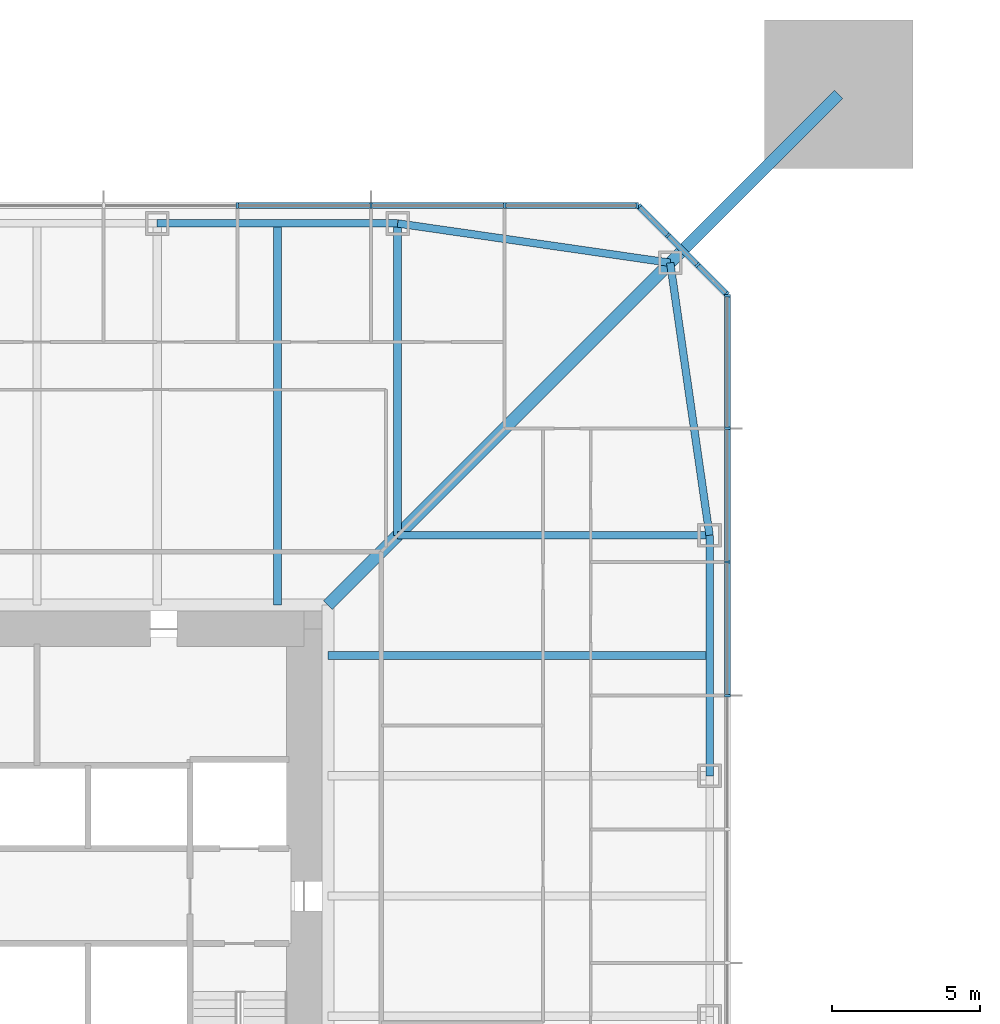
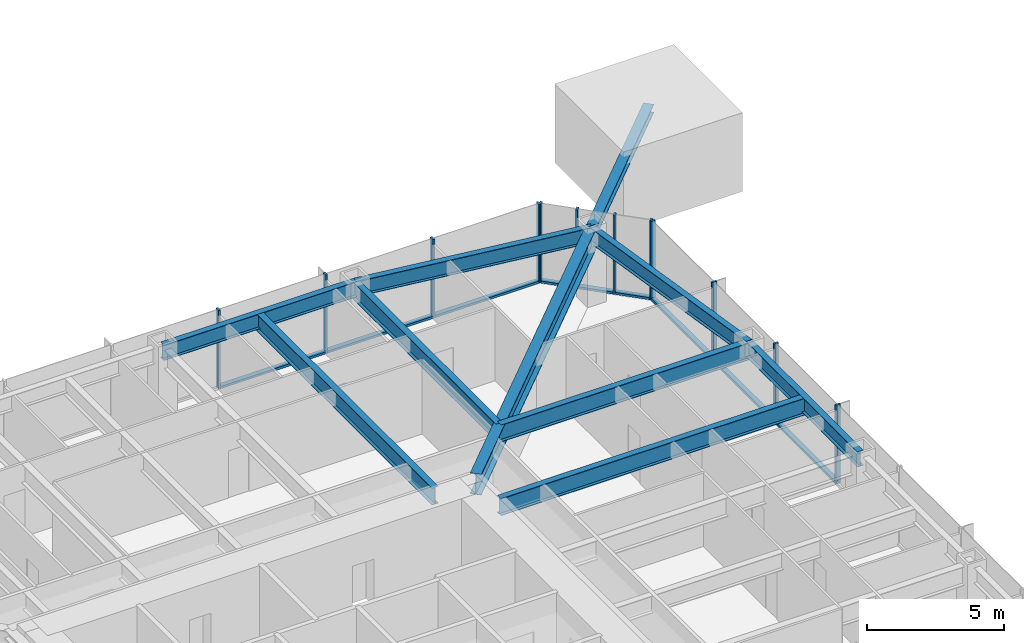
# One storey, part 7 of 26: 22 members, 9 beams, 3 elements without a shape of their own.
"""IFC4 building model written with IfcOpenShell, lengths in metres."""

import ifcopenshell
import ifcopenshell.guid

model = None  # the IFC model being written
_history = None  # IfcOwnerHistory: only IFC2X3 demands one
_inside = {}  # id of a spatial element -> (the spatial element, [elements in it])
_under = {}  # id of a project, library or spatial element -> (it, [spatial elements below it])
_declared = {}  # id of a project -> (the project, [libraries it declares])
_typed = {}  # id of a type object -> (the type object, [elements of that type])
_made_of = {}  # id of a material, layer set ... -> (it, [elements and type objects made of it])


def new_model(schema):
    """Start an empty IFC model of exactly this schema.

    Asked for "IFC4X3", IfcOpenShell would pick the latest addendum, in which some entities
    have other attributes; the version numbers below select the first issue.
    IFC2X3 requires an IfcOwnerHistory on every rooted entity: one is made here for all.
    """
    global model, _history
    if schema == "IFC4X3":
        model = ifcopenshell.file(schema_version=(4, 3, 0, 0))
    else:
        model = ifcopenshell.file(schema=schema)
    _inside.clear()
    _under.clear()
    _declared.clear()
    _typed.clear()
    _made_of.clear()
    _history = None
    if model.schema == "IFC2X3":
        org = make("IfcOrganization", Name="unknown")
        user = make(
            "IfcPersonAndOrganization",
            ThePerson=make("IfcPerson", FamilyName="unknown"),
            TheOrganization=org,
        )
        app = make(
            "IfcApplication",
            ApplicationDeveloper=org,
            Version="unknown",
            ApplicationFullName="unknown",
            ApplicationIdentifier="unknown",
        )
        _history = make(
            "IfcOwnerHistory",
            OwningUser=user,
            OwningApplication=app,
            ChangeAction="ADDED",
            CreationDate=0,
        )
    return model


def make(cls, **values):
    """One entity of the class cls with the attributes given. An attribute that is None is left unset."""
    return model.create_entity(
        cls, **{name: value for name, value in values.items() if value is not None}
    )


def rooted(cls, **values):
    """An entity with a GlobalId (a new one), such as an element, a storey or a relation."""
    return make(cls, GlobalId=ifcopenshell.guid.new(), OwnerHistory=_history, **values)


def si_unit(unit_type, name, prefix=None):
    """IfcSIUnit, for example si_unit("LENGTHUNIT", "METRE", prefix="MILLI")."""
    return make("IfcSIUnit", UnitType=unit_type, Prefix=prefix, Name=name)


def assignment(units):
    """IfcUnitAssignment: the units of a project."""
    return None if units is None else make("IfcUnitAssignment", Units=units)


def point(xyz):
    """IfcCartesianPoint."""
    return None if xyz is None else make("IfcCartesianPoint", Coordinates=xyz)


def direction(xyz):
    """IfcDirection."""
    return None if xyz is None else make("IfcDirection", DirectionRatios=xyz)


def frame(location, z_axis=None, x_axis=None):
    """IfcAxis2Placement3D, a coordinate frame: its origin and axes. An axis left out is left unset."""
    return make(
        "IfcAxis2Placement3D",
        Location=point(location),
        Axis=direction(z_axis),
        RefDirection=direction(x_axis),
    )


def frame_2d(location, x_axis=None):
    """IfcAxis2Placement2D, a coordinate frame in the plane: its origin and x axis."""
    return make(
        "IfcAxis2Placement2D", Location=point(location), RefDirection=direction(x_axis)
    )


def origin():
    """The frame at (0, 0, 0) with its axes left unset."""
    return frame((0.0, 0.0, 0.0))


def origin_2d():
    """The frame at (0, 0) in the plane with its x axis left unset."""
    return frame_2d((0.0, 0.0))


def place(relative_to, where):
    """IfcLocalPlacement: puts the frame where relative to a parent placement (None: the world)."""
    return make(
        "IfcLocalPlacement", PlacementRelTo=relative_to, RelativePlacement=where
    )


def context(
    kind, dimensions, precision=None, world=None, true_north=None, identifier=None
):
    """IfcGeometricRepresentationContext, for example the 3D "Model" context."""
    return make(
        "IfcGeometricRepresentationContext",
        ContextIdentifier=identifier,
        ContextType=kind,
        CoordinateSpaceDimension=dimensions,
        Precision=precision,
        WorldCoordinateSystem=world,
        TrueNorth=true_north,
    )


def subcontext(parent, identifier, kind, view, scale=None):
    """IfcGeometricRepresentationSubContext, for example "Body" below "Model"."""
    return make(
        "IfcGeometricRepresentationSubContext",
        ContextIdentifier=identifier,
        ContextType=kind,
        ParentContext=parent,
        TargetScale=scale,
        TargetView=view,
    )


def project(units=None, contexts=None):
    """IfcProject with its units and contexts."""
    return rooted(
        "IfcProject",
        Name="project",
        RepresentationContexts=contexts,
        UnitsInContext=assignment(units),
    )


def spatial(cls, under=None, at=None, **own):
    """A site, building, storey or space (cls), placed at a placement, below another one or the project."""
    s = rooted(cls, ObjectPlacement=at, **own)
    if under is not None:
        _under.setdefault(under.id(), (under, []))[1].append(s)
    return s


def profile(cls, at=None, kind="AREA", **sizes):
    """A parametric profile (cls). Its sizes go by their IFC names, for example OverallWidth=200.0."""
    return make(cls, ProfileType=kind, Position=at, **sizes)


def rectangle(**sizes):
    """IfcRectangleProfileDef."""
    return profile("IfcRectangleProfileDef", **sizes)


def i_section(**sizes):
    """IfcIShapeProfileDef."""
    return profile("IfcIShapeProfileDef", **sizes)


def extrude(swept, where, along, depth):
    """IfcExtrudedAreaSolid: the profile swept, set in the frame where, extruded along a direction by depth."""
    return make(
        "IfcExtrudedAreaSolid",
        SweptArea=swept,
        Position=where,
        ExtrudedDirection=direction(along),
        Depth=depth,
    )


def shape(context_of_items, identifier, shape_type, items):
    """IfcShapeRepresentation: the items that make up one representation, for example the "Body"."""
    return make(
        "IfcShapeRepresentation",
        ContextOfItems=context_of_items,
        RepresentationIdentifier=identifier,
        RepresentationType=shape_type,
        Items=items,
    )


def material(Name=None, Category=None):
    """IfcMaterial."""
    return make("IfcMaterial", Name=Name, Category=Category)


def material_profile(
    of_material, cross_section, Name=None, Category=None, Priority=None
):
    """IfcMaterialProfile: a cross section and its material."""
    return make(
        "IfcMaterialProfile",
        Name=Name,
        Material=of_material,
        Profile=cross_section,
        Priority=Priority,
        Category=Category,
    )


def profile_set(profiles, Name=None, composite=None):
    """IfcMaterialProfileSet."""
    return make(
        "IfcMaterialProfileSet",
        Name=Name,
        MaterialProfiles=profiles,
        CompositeProfile=composite,
    )


def made_of(thing, what):
    """Note that an element or type object is made of a material, layer set ...; save() writes the relation."""
    if what is not None:
        _made_of.setdefault(what.id(), (what, []))[1].append(thing)
    return thing


def type_object(cls, material=None, **own):
    """A type object (cls), such as IfcWallType, which elements share."""
    return made_of(rooted(cls, **own), material)


def element(
    cls,
    number,
    at=None,
    inside=None,
    cuts=None,
    type_object=None,
    material=None,
    context=None,
    identifier="Body",
    shape_type=None,
    held_by="IfcProductDefinitionShape",
    body=None,
    shapes=None,
    **own,
):
    """One element of the class cls, such as IfcWall. Its Tag is "e" and its number.

    at: its placement. inside: the storey or other place that contains it. cuts: it is an
    opening in that element (IfcRelVoidsElement). A single representation is given by context,
    identifier, shape_type and body (its items); several are given by shapes. held_by: the class
    of the entity that holds the representations. save() writes the other relations.
    """
    e = rooted(cls, Tag="e%d" % number, ObjectPlacement=at, **own)
    if body is not None:
        shapes = [shape(context, identifier, shape_type, body)]
    if shapes is not None:
        e.Representation = make(held_by, Representations=shapes)
    if inside is not None:
        _inside.setdefault(inside.id(), (inside, []))[1].append(e)
    if cuts is not None:
        rooted(
            "IfcRelVoidsElement", RelatingBuildingElement=cuts, RelatedOpeningElement=e
        )
    if type_object is not None:
        _typed.setdefault(type_object.id(), (type_object, []))[1].append(e)
    return made_of(e, material)


def aggregate(whole, parts):
    """IfcRelAggregates: a whole, such as a stair, and the parts it consists of."""
    return rooted("IfcRelAggregates", RelatingObject=whole, RelatedObjects=parts)


def save(model, path):
    """Write the relations noted so far, then the file.

    IfcRelAggregates (storeys below a building ...), IfcRelContainedInSpatialStructure (elements
    in a storey), IfcRelDefinesByType, IfcRelAssociatesMaterial and IfcRelDeclares: one each for
    every whole, place, type object, material and project.
    """
    for whole, parts in _under.values():
        aggregate(whole, parts)
    for where, things in _inside.values():
        rooted(
            "IfcRelContainedInSpatialStructure",
            RelatedElements=things,
            RelatingStructure=where,
        )
    for kind, things in _typed.values():
        rooted("IfcRelDefinesByType", RelatedObjects=things, RelatingType=kind)
    for what, things in _made_of.values():
        rooted("IfcRelAssociatesMaterial", RelatedObjects=things, RelatingMaterial=what)
    for by, libraries in _declared.values():
        rooted("IfcRelDeclares", RelatingContext=by, RelatedDefinitions=libraries)
    model.write(path)


model = new_model("IFC4")

# Units and contexts
model_context = context("Model", 3, precision=1e-05, world=origin(), true_north=direction((0.0, 1.0)))
body_context = subcontext(model_context, "Body", "Model", "MODEL_VIEW")
ifc_project = project(units=[si_unit("LENGTHUNIT", "METRE"), si_unit("AREAUNIT", "SQUARE_METRE"), si_unit("VOLUMEUNIT", "CUBIC_METRE"), si_unit("PLANEANGLEUNIT", "RADIAN"), si_unit("MASSUNIT", "GRAM", prefix="KILO")], contexts=[model_context])

# Site, building, storey
site_placement = place(None, origin())
site = spatial("IfcSite", under=ifc_project, at=site_placement, CompositionType="ELEMENT")
building_placement = place(site_placement, origin())
building = spatial("IfcBuilding", under=site, at=building_placement, Name="Iwan Alto Co-Living Towers", CompositionType="ELEMENT")
storey_placement = place(building_placement, frame((0.0, 0.0, 50.0)))
storey = spatial("IfcBuildingStorey", under=building, at=storey_placement, Name="L13", CompositionType="ELEMENT", Elevation=50.0)

# Curtain wall, members
ifc_material_1 = material(Name="Bronze aluminium unitised frame", Category="aluminium")
curtain_wall_type_1 = type_object("IfcCurtainWallType", Name="CURTAIN WALL CW-A", PredefinedType="NOTDEFINED", material=ifc_material_1)
curtain_wall_1_placement = place(storey_placement, origin())
curtain_wall_1 = element("IfcCurtainWall", 1, at=curtain_wall_1_placement, inside=storey, type_object=curtain_wall_type_1, Name="T1 curtain wall E L13", PredefinedType="NOTDEFINED")
ifc_material_2 = material(Name="Aluminium 6063-T6 bronze anodised", Category="aluminium")
ifc_material_profile_1 = material_profile(ifc_material_2, rectangle(XDim=0.199951171875, YDim=0.080078125, at=origin_2d()), Name="AL 80X200")
ifc_profile_set_1 = profile_set([ifc_material_profile_1], Name="Aluminium 6063-T6 bronze anodised")
member_type_1 = type_object("IfcMemberType", Name="CW-A MULLION 80X200", PredefinedType="MULLION", material=ifc_profile_set_1)
member_1_placement = place(storey_placement, frame((23.25, 6.75, 0.0), z_axis=(0.0, 0.0, 1.0), x_axis=(-1.0, 0.0, 0.0)))
member_1 = element("IfcMember", 2, at=member_1_placement, type_object=member_type_1, Name="CW-A mullion 7", PredefinedType="MULLION", context=body_context, shape_type="SweptSolid", body=[
    extrude(rectangle(XDim=0.199951171875, YDim=0.080078125, at=origin_2d()), origin(), (0.0, 0.0, 1.0), 3.5),
])
member_2_placement = place(storey_placement, frame((23.25, 11.25, 0.0), z_axis=(0.0, 0.0, 1.0), x_axis=(-1.0, 0.0, 0.0)))
member_2 = element("IfcMember", 3, at=member_2_placement, type_object=member_type_1, Name="CW-A mullion 8", PredefinedType="MULLION", context=body_context, shape_type="SweptSolid", body=[
    extrude(rectangle(XDim=0.199951171875, YDim=0.080078125, at=origin_2d()), origin(), (0.0, 0.0, 1.0), 3.5),
])
member_3_placement = place(storey_placement, frame((23.25, 15.75, 0.0), z_axis=(0.0, 0.0, 1.0), x_axis=(-1.0, 0.0, 0.0)))
member_3 = element("IfcMember", 4, at=member_3_placement, type_object=member_type_1, Name="CW-A mullion 9", PredefinedType="MULLION", context=body_context, shape_type="SweptSolid", body=[
    extrude(rectangle(XDim=0.199951171875, YDim=0.080078125, at=origin_2d()), origin(), (0.0, 0.0, 1.0), 3.5),
])
member_4_placement = place(storey_placement, frame((23.25, 20.2099609375, 0.0), z_axis=(0.0, 0.0, 1.0), x_axis=(-1.0, 0.0, 0.0)))
member_4 = element("IfcMember", 5, at=member_4_placement, type_object=member_type_1, Name="CW-A mullion 10", PredefinedType="MULLION", context=body_context, shape_type="SweptSolid", body=[
    extrude(rectangle(XDim=0.199951171875, YDim=0.080078125, at=origin_2d()), origin(), (0.0, 0.0, 1.0), 3.5),
])

curtain_wall_2_placement = place(storey_placement, origin())
curtain_wall_2 = element("IfcCurtainWall", 6, at=curtain_wall_2_placement, inside=storey, type_object=curtain_wall_type_1, Name="T1 curtain wall N L13", PredefinedType="NOTDEFINED")
member_5_placement = place(storey_placement, frame((20.2099609375, 23.25, 0.0), z_axis=(0.0, 0.0, 1.0), x_axis=(0.0, -1.0, 0.0)))
member_5 = element("IfcMember", 7, at=member_5_placement, type_object=member_type_1, Name="CW-A mullion 1", PredefinedType="MULLION", context=body_context, shape_type="SweptSolid", body=[
    extrude(rectangle(XDim=0.199951171875, YDim=0.080078125, at=origin_2d()), origin(), (0.0, 0.0, 1.0), 3.5),
])
member_6_placement = place(storey_placement, frame((15.75, 23.25, 0.0), z_axis=(0.0, 0.0, 1.0), x_axis=(0.0, -1.0, 0.0)))
member_6 = element("IfcMember", 8, at=member_6_placement, type_object=member_type_1, Name="CW-A mullion 2", PredefinedType="MULLION", context=body_context, shape_type="SweptSolid", body=[
    extrude(rectangle(XDim=0.199951171875, YDim=0.080078125, at=origin_2d()), origin(), (0.0, 0.0, 1.0), 3.5),
])
member_7_placement = place(storey_placement, frame((11.25, 23.25, 0.0), z_axis=(0.0, 0.0, 1.0), x_axis=(0.0, -1.0, 0.0)))
member_7 = element("IfcMember", 9, at=member_7_placement, type_object=member_type_1, Name="CW-A mullion 3", PredefinedType="MULLION", context=body_context, shape_type="SweptSolid", body=[
    extrude(rectangle(XDim=0.199951171875, YDim=0.080078125, at=origin_2d()), origin(), (0.0, 0.0, 1.0), 3.5),
])
member_8_placement = place(storey_placement, frame((6.75, 23.25, 0.0), z_axis=(0.0, 0.0, 1.0), x_axis=(0.0, -1.0, 0.0)))
member_8 = element("IfcMember", 10, at=member_8_placement, type_object=member_type_1, Name="CW-A mullion 4", PredefinedType="MULLION", context=body_context, shape_type="SweptSolid", body=[
    extrude(rectangle(XDim=0.199951171875, YDim=0.080078125, at=origin_2d()), origin(), (0.0, 0.0, 1.0), 3.5),
])

# Member
ifc_material_3 = material(Name="Aluminium 6063-T6 bronze anodised", Category="aluminium")
ifc_material_profile_2 = material_profile(ifc_material_3, rectangle(XDim=0.199951171875, YDim=0.10009765625, at=origin_2d()), Name="AL 200X100")
ifc_profile_set_2 = profile_set([ifc_material_profile_2], Name="Aluminium 6063-T6 bronze anodised")
member_type_2 = type_object("IfcMemberType", Name="CW-A TRANSOM 200X100", PredefinedType="USERDEFINED", material=ifc_profile_set_2)
member_9_placement = place(storey_placement, frame((23.25, 6.7900390625, 0.050048828125), z_axis=(0.0, 1.0, 0.0), x_axis=(-1.0, 0.0, 0.0)))
member_9 = element("IfcMember", 11, at=member_9_placement, type_object=member_type_2, Name="CW-A transom 7.1", ObjectType="TRANSOM", PredefinedType="USERDEFINED", context=body_context, shape_type="SweptSolid", body=[
    extrude(rectangle(XDim=0.199951171875, YDim=0.10009765625, at=origin_2d()), origin(), (0.0, 0.0, 1.0), 4.419921875),
])

member_10_placement = place(storey_placement, frame((23.25, 11.2900390625, 0.050048828125), z_axis=(0.0, 1.0, 0.0), x_axis=(-1.0, 0.0, 0.0)))
member_10 = element("IfcMember", 12, at=member_10_placement, type_object=member_type_2, Name="CW-A transom 8.1", ObjectType="TRANSOM", PredefinedType="USERDEFINED", context=body_context, shape_type="SweptSolid", body=[
    extrude(rectangle(XDim=0.199951171875, YDim=0.10009765625, at=origin_2d()), origin(), (0.0, 0.0, 1.0), 4.419921875),
])

member_11_placement = place(storey_placement, frame((23.25, 15.7900390625, 0.050048828125), z_axis=(0.0, 1.0, 0.0), x_axis=(-1.0, 0.0, 0.0)))
member_11 = element("IfcMember", 13, at=member_11_placement, type_object=member_type_2, Name="CW-A transom 9.1", ObjectType="TRANSOM", PredefinedType="USERDEFINED", context=body_context, shape_type="SweptSolid", body=[
    extrude(rectangle(XDim=0.199951171875, YDim=0.10009765625, at=origin_2d()), origin(), (0.0, 0.0, 1.0), 4.3798828125),
])

aggregate(curtain_wall_1, [member_1, member_2, member_3, member_4, member_9, member_10, member_11])

member_12_placement = place(storey_placement, frame((20.169921875, 23.25, 0.050048828125), z_axis=(-1.0, 0.0, 0.0), x_axis=(0.0, -1.0, 0.0)))
member_12 = element("IfcMember", 14, at=member_12_placement, type_object=member_type_2, Name="CW-A transom 1.1", ObjectType="TRANSOM", PredefinedType="USERDEFINED", context=body_context, shape_type="SweptSolid", body=[
    extrude(rectangle(XDim=0.199951171875, YDim=0.10009765625, at=origin_2d()), origin(), (0.0, 0.0, 1.0), 4.3798828125),
])

member_13_placement = place(storey_placement, frame((15.7099609375, 23.25, 0.050048828125), z_axis=(-1.0, 0.0, 0.0), x_axis=(0.0, -1.0, 0.0)))
member_13 = element("IfcMember", 15, at=member_13_placement, type_object=member_type_2, Name="CW-A transom 2.1", ObjectType="TRANSOM", PredefinedType="USERDEFINED", context=body_context, shape_type="SweptSolid", body=[
    extrude(rectangle(XDim=0.199951171875, YDim=0.10009765625, at=origin_2d()), origin(), (0.0, 0.0, 1.0), 4.419921875),
])

member_14_placement = place(storey_placement, frame((11.2099609375, 23.25, 0.050048828125), z_axis=(-1.0, 0.0, 0.0), x_axis=(0.0, -1.0, 0.0)))
member_14 = element("IfcMember", 16, at=member_14_placement, type_object=member_type_2, Name="CW-A transom 3.1", ObjectType="TRANSOM", PredefinedType="USERDEFINED", context=body_context, shape_type="SweptSolid", body=[
    extrude(rectangle(XDim=0.199951171875, YDim=0.10009765625, at=origin_2d()), origin(), (0.0, 0.0, 1.0), 4.419921875),
])

aggregate(curtain_wall_2, [member_5, member_6, member_7, member_8, member_12, member_13, member_14])

# Curtain wall, members
ifc_material_4 = material(Name="Bronze aluminium unitised frame", Category="aluminium")
curtain_wall_type_2 = type_object("IfcCurtainWallType", Name="CURTAIN WALL CW-B", PredefinedType="NOTDEFINED", material=ifc_material_4)
curtain_wall_3_placement = place(storey_placement, origin())
curtain_wall_3 = element("IfcCurtainWall", 17, at=curtain_wall_3_placement, inside=storey, type_object=curtain_wall_type_2, Name="T1 chamfer curtain wall NE L13", PredefinedType="NOTDEFINED")
ifc_material_5 = material(Name="Aluminium 6063-T6 bronze anodised", Category="aluminium")
ifc_material_profile_3 = material_profile(ifc_material_5, rectangle(XDim=0.199951171875, YDim=0.080078125, at=origin_2d()), Name="AL 80X200")
ifc_profile_set_3 = profile_set([ifc_material_profile_3], Name="Aluminium 6063-T6 bronze anodised")
member_type_3 = type_object("IfcMemberType", Name="CW-B MULLION 80X200", PredefinedType="MULLION", material=ifc_profile_set_3)
member_15_placement = place(storey_placement, frame((23.2216796875, 20.2783203125, 0.0), z_axis=(0.0, 0.0, 1.0), x_axis=(-0.707106781187, -0.707106781187, 0.0)))
member_15 = element("IfcMember", 18, at=member_15_placement, type_object=member_type_3, Name="CW-B mullion 1", PredefinedType="MULLION", context=body_context, shape_type="SweptSolid", body=[
    extrude(rectangle(XDim=0.199951171875, YDim=0.080078125, at=origin_2d()), origin(), (0.0, 0.0, 1.0), 3.5),
])
member_16_placement = place(storey_placement, frame((22.25, 21.25, 0.0), z_axis=(0.0, 0.0, 1.0), x_axis=(-0.707106781187, -0.707106781187, 0.0)))
member_16 = element("IfcMember", 19, at=member_16_placement, type_object=member_type_3, Name="CW-B mullion 2", PredefinedType="MULLION", context=body_context, shape_type="SweptSolid", body=[
    extrude(rectangle(XDim=0.199951171875, YDim=0.080078125, at=origin_2d()), origin(), (0.0, 0.0, 1.0), 3.5),
])
member_17_placement = place(storey_placement, frame((21.25, 22.25, 0.0), z_axis=(0.0, 0.0, 1.0), x_axis=(-0.707106781187, -0.707106781187, 0.0)))
member_17 = element("IfcMember", 20, at=member_17_placement, type_object=member_type_3, Name="CW-B mullion 3", PredefinedType="MULLION", context=body_context, shape_type="SweptSolid", body=[
    extrude(rectangle(XDim=0.199951171875, YDim=0.080078125, at=origin_2d()), origin(), (0.0, 0.0, 1.0), 3.5),
])
member_18_placement = place(storey_placement, frame((20.2783203125, 23.2216796875, 0.0), z_axis=(0.0, 0.0, 1.0), x_axis=(-0.707106781187, -0.707106781187, 0.0)))
member_18 = element("IfcMember", 21, at=member_18_placement, type_object=member_type_3, Name="CW-B mullion 4", PredefinedType="MULLION", context=body_context, shape_type="SweptSolid", body=[
    extrude(rectangle(XDim=0.199951171875, YDim=0.080078125, at=origin_2d()), origin(), (0.0, 0.0, 1.0), 3.5),
])
ifc_material_6 = material(Name="Aluminium 6063-T6 bronze anodised", Category="aluminium")
ifc_material_profile_4 = material_profile(ifc_material_6, rectangle(XDim=0.199951171875, YDim=0.10009765625, at=origin_2d()), Name="AL 200X100")
ifc_profile_set_4 = profile_set([ifc_material_profile_4], Name="Aluminium 6063-T6 bronze anodised")
member_type_4 = type_object("IfcMemberType", Name="CW-B TRANSOM 200X100", PredefinedType="USERDEFINED", material=ifc_profile_set_4)
member_19_placement = place(storey_placement, frame((23.193359375, 20.306640625, 0.050048828125), z_axis=(-0.707106781187, 0.707106781187, 0.0), x_axis=(-0.707106781187, -0.707106781187, 0.0)))
member_19 = element("IfcMember", 22, at=member_19_placement, type_object=member_type_4, Name="CW-B transom 1.1", ObjectType="TRANSOM", PredefinedType="USERDEFINED", context=body_context, shape_type="SweptSolid", body=[
    extrude(rectangle(XDim=0.199951171875, YDim=0.10009765625, at=origin_2d()), origin(), (0.0, 0.0, 1.0), 1.2939453125),
])
member_20_placement = place(storey_placement, frame((22.2216796875, 21.2783203125, 0.050048828125), z_axis=(-0.707106781187, 0.707106781187, 0.0), x_axis=(-0.707106781187, -0.707106781187, 0.0)))
member_20 = element("IfcMember", 23, at=member_20_placement, type_object=member_type_4, Name="CW-B transom 2.1", ObjectType="TRANSOM", PredefinedType="USERDEFINED", context=body_context, shape_type="SweptSolid", body=[
    extrude(rectangle(XDim=0.199951171875, YDim=0.10009765625, at=origin_2d()), origin(), (0.0, 0.0, 1.0), 1.334228515625),
])
member_21_placement = place(storey_placement, frame((21.2216796875, 22.2783203125, 0.050048828125), z_axis=(-0.707106781187, 0.707106781187, 0.0), x_axis=(-0.707106781187, -0.707106781187, 0.0)))
member_21 = element("IfcMember", 24, at=member_21_placement, type_object=member_type_4, Name="CW-B transom 3.1", ObjectType="TRANSOM", PredefinedType="USERDEFINED", context=body_context, shape_type="SweptSolid", body=[
    extrude(rectangle(XDim=0.199951171875, YDim=0.10009765625, at=origin_2d()), origin(), (0.0, 0.0, 1.0), 1.2939453125),
])
aggregate(curtain_wall_3, [member_15, member_16, member_17, member_18, member_19, member_20, member_21])

# Beams
ifc_material_7 = material(Name="Steel ASTM A992 Gr 50", Category="steel")
ifc_material_profile_5 = material_profile(ifc_material_7, i_section(OverallWidth=0.419189453125, OverallDepth=0.927001953125, WebThickness=0.019287109375, FlangeThickness=0.031982421875, at=origin_2d()), Name="W36X231")
ifc_profile_set_5 = profile_set([ifc_material_profile_5], Name="Steel ASTM A992 Gr 50")
beam_type_1 = type_object("IfcBeamType", Name="T1 CORNER GIRDER W36X231", PredefinedType="BEAM", material=ifc_profile_set_5)
beam_1_placement = place(storey_placement, frame((21.32568359375, 21.32568359375, 2.806396484375), z_axis=(-0.707106781187, -0.707106781187, 0.0), x_axis=(0.707106781187, -0.707106781187, 0.0)))
element("IfcBeam", 25, at=beam_1_placement, inside=storey, type_object=beam_type_1, Name="T1 corner girder CNE L14", PredefinedType="BEAM", context=body_context, shape_type="SweptSolid", body=[
    extrude(i_section(OverallWidth=0.419189453125, OverallDepth=0.927001953125, WebThickness=0.019287109375, FlangeThickness=0.031982421875, at=origin_2d()), origin(), (0.0, 0.0, 1.0), 16.296875),
])
ifc_material_8 = material(Name="Steel ASTM A992 Gr 50", Category="steel")
ifc_material_profile_6 = material_profile(ifc_material_8, i_section(OverallWidth=0.25390625, OverallDepth=0.683349609375, WebThickness=0.012451171875, FlangeThickness=0.018798828125, at=origin_2d()), Name="W27X94")
ifc_profile_set_6 = profile_set([ifc_material_profile_6], Name="Steel ASTM A992 Gr 50")
beam_type_2 = type_object("IfcBeamType", Name="T1 EDGE BEAM W27X94", PredefinedType="BEAM", material=ifc_profile_set_6)
beam_2_placement = place(storey_placement, frame((22.64990234375, 4.050048828125, 2.928466796875), z_axis=(0.0, 1.0, 0.0), x_axis=(-1.0, 0.0, 0.0)))
element("IfcBeam", 26, at=beam_2_placement, inside=storey, type_object=beam_type_2, Name="T1 edge beam E3 L14", PredefinedType="BEAM", context=body_context, shape_type="SweptSolid", body=[
    extrude(i_section(OverallWidth=0.25390625, OverallDepth=0.683349609375, WebThickness=0.012451171875, FlangeThickness=0.018798828125, at=origin_2d()), origin(), (0.0, 0.0, 1.0), 8.099853515625),
])
for number, where, z_axis, x_axis, name in (
    (27, (22.64990234375, 12.14990234375, 2.928466796875), (-0.142836940589, 0.989746234347, 0.0), (-0.989746234347, -0.142836940589, 0.0), "T1 edge beam E4 L14"),
    (28, (21.32568359375, 21.32568359375, 2.928466796875), (-0.989746234347, 0.142836940589, 0.0), (-0.142836940589, -0.989746234347, 0.0), "T1 edge beam CNE L14"),
):
    element("IfcBeam", number, at=place(storey_placement, frame(where, z_axis=z_axis, x_axis=x_axis)), inside=storey, type_object=beam_type_2, Name=name, PredefinedType="BEAM", context=body_context, shape_type="SweptSolid", body=[
        extrude(i_section(OverallWidth=0.25390625, OverallDepth=0.683349609375, WebThickness=0.012451171875, FlangeThickness=0.018798828125, at=origin_2d()), origin(), (0.0, 0.0, 1.0), 9.270751953125),
    ])
beam_3_placement = place(storey_placement, frame((12.14990234375, 22.64990234375, 2.928466796875), z_axis=(-1.0, 0.0, 0.0), x_axis=(0.0, -1.0, 0.0)))
element("IfcBeam", 29, at=beam_3_placement, inside=storey, type_object=beam_type_2, Name="T1 edge beam N1 L14", PredefinedType="BEAM", context=body_context, shape_type="SweptSolid", body=[
    extrude(i_section(OverallWidth=0.25390625, OverallDepth=0.683349609375, WebThickness=0.012451171875, FlangeThickness=0.018798828125, at=origin_2d()), origin(), (0.0, 0.0, 1.0), 8.099853515625),
])

# Member
ifc_material_9 = material(Name="Steel ASTM A992 Gr 50", Category="steel")
ifc_material_profile_7 = material_profile(ifc_material_9, i_section(OverallWidth=0.393798828125, OverallDepth=0.3759765625, WebThickness=0.017333984375, FlangeThickness=0.027587890625, at=origin_2d()), Name="W14X145")
ifc_profile_set_7 = profile_set([ifc_material_profile_7], Name="Steel ASTM A992 Gr 50")
member_type_5 = type_object("IfcMemberType", Name="T1 MEGA COLUMN FLOOR TIE W14X145", PredefinedType="STRUT", material=ifc_profile_set_7)
member_22_placement = place(storey_placement, frame((27.0, 27.0, 3.08203125), z_axis=(-0.707106781187, -0.707106781187, 0.0), x_axis=(0.707106781187, -0.707106781187, 0.0)))
element("IfcMember", 30, at=member_22_placement, inside=storey, type_object=member_type_5, Name="T1 mega column floor tie NE L14", PredefinedType="STRUT", context=body_context, shape_type="SweptSolid", body=[
    extrude(i_section(OverallWidth=0.393798828125, OverallDepth=0.3759765625, WebThickness=0.017333984375, FlangeThickness=0.027587890625, at=origin_2d()), origin(), (0.0, 0.0, 1.0), 8.024658203125),
])

# Beams
ifc_material_10 = material(Name="Steel ASTM A992 Gr 50", Category="steel")
ifc_material_profile_8 = material_profile(ifc_material_10, i_section(OverallWidth=0.2666015625, OverallDepth=0.761962890625, WebThickness=0.014404296875, FlangeThickness=0.021484375, at=origin_2d()), Name="W30X116")
ifc_profile_set_8 = profile_set([ifc_material_profile_8], Name="Steel ASTM A992 Gr 50")
beam_type_3 = type_object("IfcBeamType", Name="T1 RADIAL BEAM W30X116", PredefinedType="BEAM", material=ifc_profile_set_8)
for number, where, z_axis, x_axis, name in (
    (31, (22.64990234375, 12.14990234375, 2.888916015625), (-1.0, 0.0, 0.0), (0.0, -1.0, 0.0), "T1 radial beam E4 L14"),
    (32, (12.14990234375, 22.64990234375, 2.888916015625), (0.0, -1.0, 0.0), (1.0, 0.0, 0.0), "T1 radial beam N1 L14"),
):
    element("IfcBeam", number, at=place(storey_placement, frame(where, z_axis=z_axis, x_axis=x_axis)), inside=storey, type_object=beam_type_3, Name=name, PredefinedType="BEAM", context=body_context, shape_type="SweptSolid", body=[
        extrude(i_section(OverallWidth=0.2666015625, OverallDepth=0.761962890625, WebThickness=0.014404296875, FlangeThickness=0.021484375, at=origin_2d()), origin(), (0.0, 0.0, 1.0), 10.5),
    ])
ifc_material_11 = material(Name="Steel ASTM A992 Gr 50", Category="steel")
ifc_material_profile_9 = material_profile(ifc_material_11, i_section(OverallWidth=0.2666015625, OverallDepth=0.761962890625, WebThickness=0.014404296875, FlangeThickness=0.021484375, at=origin_2d()), Name="W30X116")
ifc_profile_set_9 = profile_set([ifc_material_profile_9], Name="Steel ASTM A992 Gr 50")
beam_type_4 = type_object("IfcBeamType", Name="T1 SECONDARY BEAM W30X116", PredefinedType="JOIST", material=ifc_profile_set_9)
for number, where, z_axis, x_axis, name in (
    (33, (22.64990234375, 8.10009765625, 2.888916015625), (-1.0, 0.0, 0.0), (0.0, -1.0, 0.0), "T1 secondary beam E3 L14"),
    (34, (8.10009765625, 22.64990234375, 2.888916015625), (0.0, -1.0, 0.0), (1.0, 0.0, 0.0), "T1 secondary beam N1 L14"),
):
    element("IfcBeam", number, at=place(storey_placement, frame(where, z_axis=z_axis, x_axis=x_axis)), inside=storey, type_object=beam_type_4, Name=name, PredefinedType="JOIST", context=body_context, shape_type="SweptSolid", body=[
        extrude(i_section(OverallWidth=0.2666015625, OverallDepth=0.761962890625, WebThickness=0.014404296875, FlangeThickness=0.021484375, at=origin_2d()), origin(), (0.0, 0.0, 1.0), 12.847900390625),
    ])

save(model, "model.ifc")
